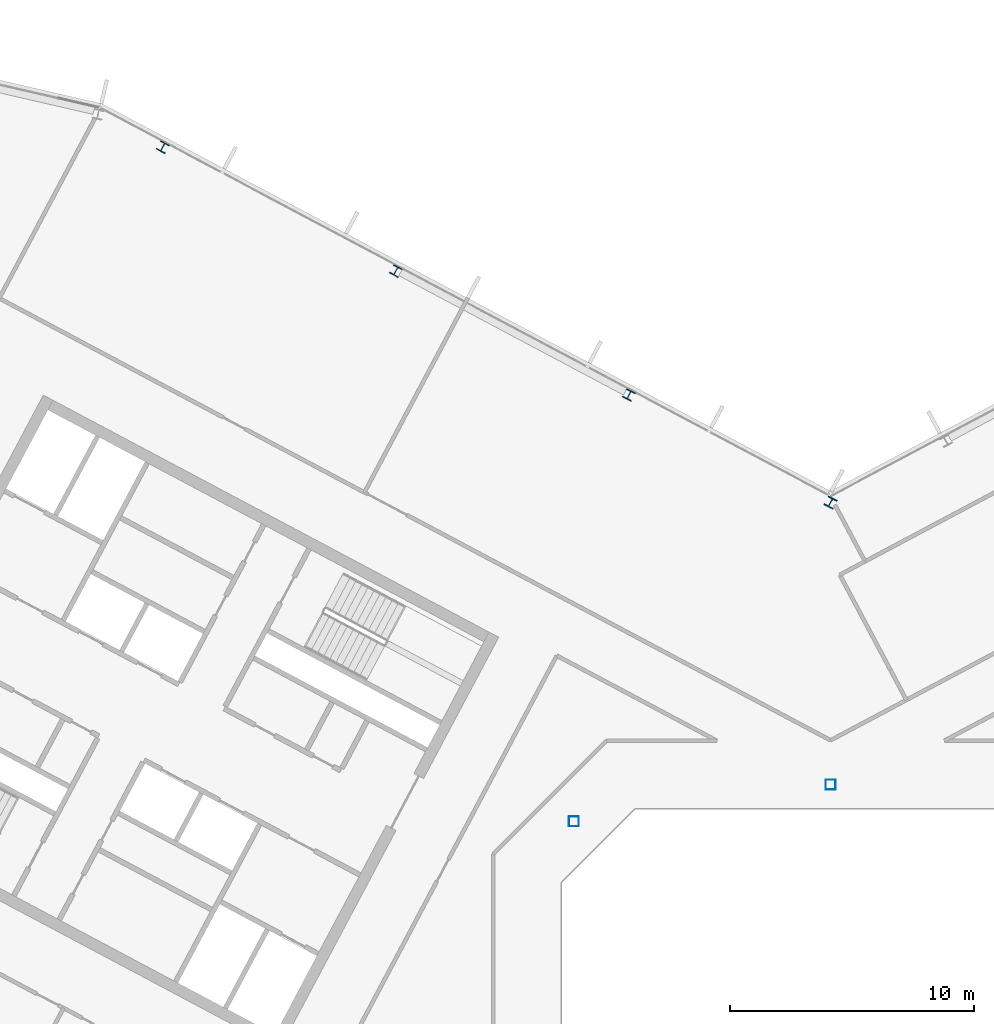
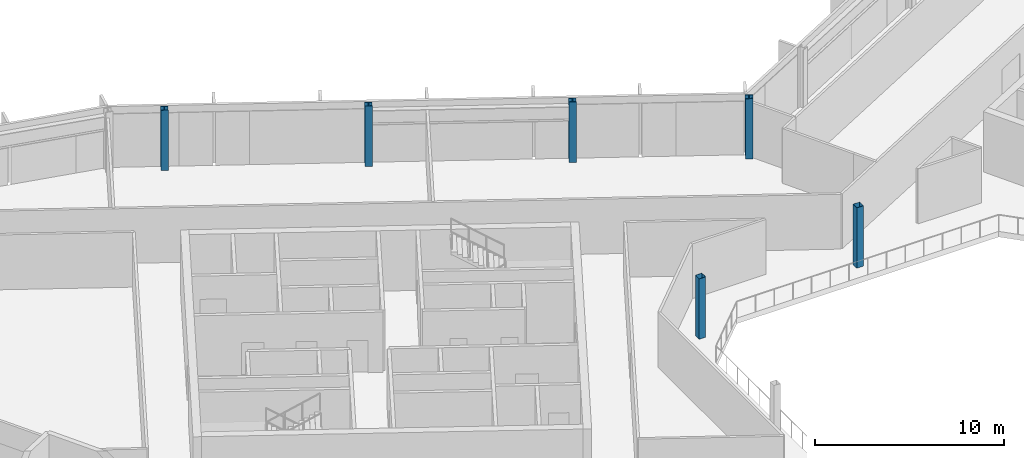
# One storey, part 4 of 25: 6 columns.
"""IFC4 building model written with IfcOpenShell, lengths in metres."""

from ifc_helpers import new_model, si_unit, direction, frame, origin, origin_2d, place, context, subcontext, project, spatial, hollow_rectangle, i_section, extrude, material, material_profile, profile_set, type_object, element, save


model = new_model("IFC4")

# Units and contexts
model_context = context("Model", 3, precision=1e-05, world=origin(), true_north=direction((0.0, 1.0)))
body_context = subcontext(model_context, "Body", "Model", "MODEL_VIEW")
ifc_project = project(units=[si_unit("LENGTHUNIT", "METRE"), si_unit("AREAUNIT", "SQUARE_METRE"), si_unit("VOLUMEUNIT", "CUBIC_METRE"), si_unit("PLANEANGLEUNIT", "RADIAN"), si_unit("MASSUNIT", "GRAM", prefix="KILO")], contexts=[model_context])

# Site, building, storey
site_placement = place(None, origin())
site = spatial("IfcSite", under=ifc_project, at=site_placement, CompositionType="ELEMENT")
building_placement = place(site_placement, origin())
building = spatial("IfcBuilding", under=site, at=building_placement, Name="Cormorant Relay Tower", CompositionType="ELEMENT")
storey_placement = place(building_placement, frame((0.0, 0.0, 273.60009765625)))
storey = spatial("IfcBuildingStorey", under=building, at=storey_placement, Name="L61", CompositionType="ELEMENT", Elevation=273.60009765625)

# Columns
ifc_material_1 = material(Name="Steel ASTM A500 Grade C (Fy 345 MPa)", Category="steel")
ifc_material_profile_1 = material_profile(ifc_material_1, hollow_rectangle(XDim=0.406494140625, YDim=0.406494140625, WallThickness=0.0087890625, InnerFilletRadius=0.00439453125, OuterFilletRadius=0.01318359375, at=origin_2d()), Name="HSS406x406x9")
ifc_profile_set_1 = profile_set([ifc_material_profile_1], Name="Steel ASTM A500 Grade C (Fy 345 MPa)")
column_type_1 = type_object("IfcColumnType", Name="Column HSS406x406x9", PredefinedType="COLUMN", material=ifc_profile_set_1)
for number, where, z_axis, x_axis, name in (
    (1, (-10.5, 10.5, 0.0), (0.0, 0.0, 1.0), (1.0, 0.0, 0.0), "Column L61-023"),
    (2, (0.0, 12.0, 0.0), (0.0, 0.0, 1.0), (1.0, 0.0, 0.0), "Column L61-025"),
):
    element("IfcColumn", number, at=place(storey_placement, frame(where, z_axis=z_axis, x_axis=x_axis)), inside=storey, type_object=column_type_1, Name=name, PredefinedType="COLUMN", context=body_context, shape_type="SweptSolid", body=[
        extrude(hollow_rectangle(XDim=0.406494140625, YDim=0.406494140625, WallThickness=0.0087890625, InnerFilletRadius=0.00439453125, OuterFilletRadius=0.01318359375, at=origin_2d()), origin(), (0.0, 0.0, 1.0), 3.89990234375),
    ])
ifc_material_2 = material(Name="Steel ASTM A992 (Fy 345 MPa)", Category="steel")
ifc_material_profile_2 = material_profile(ifc_material_2, i_section(OverallWidth=0.398681640625, OverallDepth=0.385986328125, WebThickness=0.02099609375, FlangeThickness=0.033203125, FilletRadius=0.01513671875, at=origin_2d()), Name="W360x262")
ifc_profile_set_2 = profile_set([ifc_material_profile_2], Name="Steel ASTM A992 (Fy 345 MPa)")
column_type_2 = type_object("IfcColumnType", Name="Column W360x262", PredefinedType="COLUMN", material=ifc_profile_set_2)
for number, where, z_axis, x_axis, name in (
    (3, (-8.2470703125, 27.943115234375, 0.0), (0.0, 0.0, 1.0), (-0.882947592859, 0.469471562786, 0.0), "Column L61-032"),
    (4, (-17.782958984375, 33.012939453125, 0.0), (0.0, 0.0, 1.0), (-0.882947592859, 0.469471562786, 0.0), "Column L61-036"),
    (5, (-27.319091796875, 38.0830078125, 0.0), (0.0, 0.0, 1.0), (-0.882947592859, 0.469471562786, 0.0), "Column L61-040"),
):
    element("IfcColumn", number, at=place(storey_placement, frame(where, z_axis=z_axis, x_axis=x_axis)), inside=storey, type_object=column_type_2, Name=name, PredefinedType="COLUMN", context=body_context, shape_type="SweptSolid", body=[
        extrude(i_section(OverallWidth=0.398681640625, OverallDepth=0.385986328125, WebThickness=0.02099609375, FlangeThickness=0.033203125, FilletRadius=0.01513671875, at=origin_2d()), origin(), (0.0, 0.0, 1.0), 3.89990234375),
    ])
ifc_material_3 = material(Name="Steel ASTM A992 (Fy 345 MPa)", Category="steel")
ifc_material_profile_3 = material_profile(ifc_material_3, i_section(OverallWidth=0.40380859375, OverallDepth=0.406494140625, WebThickness=0.027099609375, FlangeThickness=0.043701171875, FilletRadius=0.01513671875, at=origin_2d()), Name="W360x347")
ifc_profile_set_3 = profile_set([ifc_material_profile_3], Name="Steel ASTM A992 (Fy 345 MPa)")
column_type_3 = type_object("IfcColumnType", Name="Column W360x347", PredefinedType="COLUMN", material=ifc_profile_set_3)
column_placement = place(storey_placement, frame((0.0, 23.5439453125, 0.0), z_axis=(0.0, 0.0, 1.0), x_axis=(-0.882947592859, 0.469471562786, 0.0)))
element("IfcColumn", 6, at=column_placement, inside=storey, type_object=column_type_3, Name="Column L61-029", PredefinedType="COLUMN", context=body_context, shape_type="SweptSolid", body=[
    extrude(i_section(OverallWidth=0.40380859375, OverallDepth=0.406494140625, WebThickness=0.027099609375, FlangeThickness=0.043701171875, FilletRadius=0.01513671875, at=origin_2d()), origin(), (0.0, 0.0, 1.0), 3.89990234375),
])

save(model, "model.ifc")
